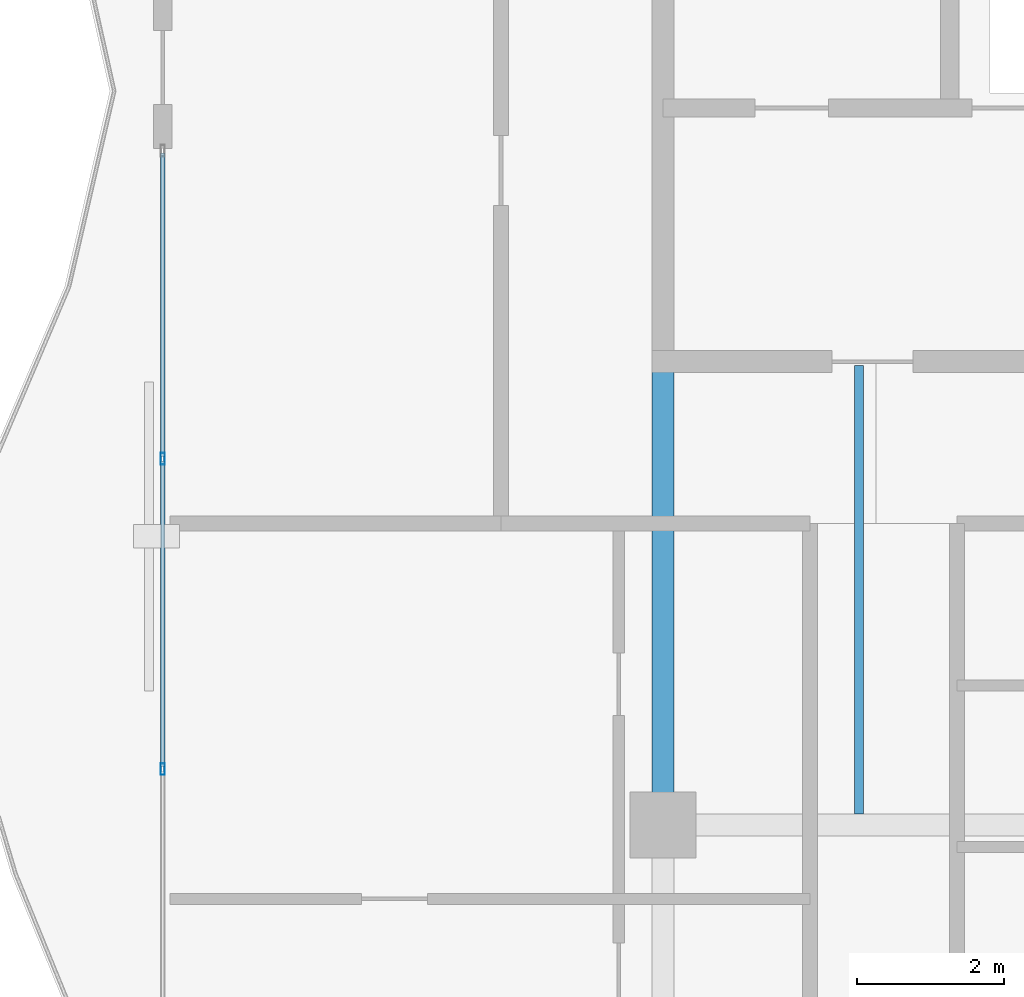
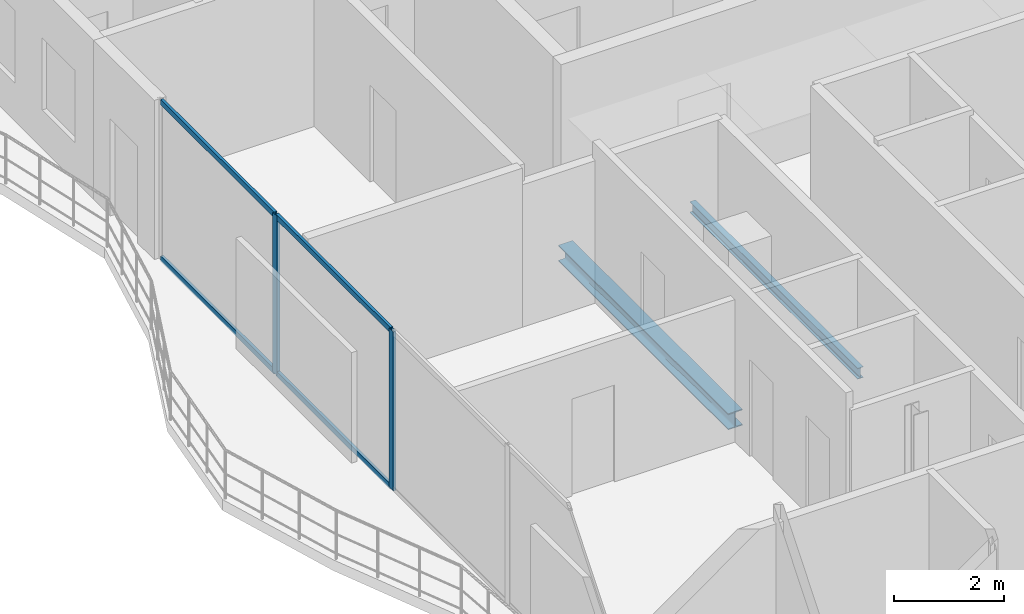
# One storey, part 7 of 17: 6 members, 2 beams, 1 element without a shape of its own.
"""IFC4 building model written with IfcOpenShell, lengths in metres."""

import ifcopenshell
import ifcopenshell.guid

model = None  # the IFC model being written
_history = None  # IfcOwnerHistory: only IFC2X3 demands one
_inside = {}  # id of a spatial element -> (the spatial element, [elements in it])
_under = {}  # id of a project, library or spatial element -> (it, [spatial elements below it])
_declared = {}  # id of a project -> (the project, [libraries it declares])
_typed = {}  # id of a type object -> (the type object, [elements of that type])
_made_of = {}  # id of a material, layer set ... -> (it, [elements and type objects made of it])


def new_model(schema):
    """Start an empty IFC model of exactly this schema.

    Asked for "IFC4X3", IfcOpenShell would pick the latest addendum, in which some entities
    have other attributes; the version numbers below select the first issue.
    IFC2X3 requires an IfcOwnerHistory on every rooted entity: one is made here for all.
    """
    global model, _history
    if schema == "IFC4X3":
        model = ifcopenshell.file(schema_version=(4, 3, 0, 0))
    else:
        model = ifcopenshell.file(schema=schema)
    _inside.clear()
    _under.clear()
    _declared.clear()
    _typed.clear()
    _made_of.clear()
    _history = None
    if model.schema == "IFC2X3":
        org = make("IfcOrganization", Name="unknown")
        user = make(
            "IfcPersonAndOrganization",
            ThePerson=make("IfcPerson", FamilyName="unknown"),
            TheOrganization=org,
        )
        app = make(
            "IfcApplication",
            ApplicationDeveloper=org,
            Version="unknown",
            ApplicationFullName="unknown",
            ApplicationIdentifier="unknown",
        )
        _history = make(
            "IfcOwnerHistory",
            OwningUser=user,
            OwningApplication=app,
            ChangeAction="ADDED",
            CreationDate=0,
        )
    return model


def make(cls, **values):
    """One entity of the class cls with the attributes given. An attribute that is None is left unset."""
    return model.create_entity(
        cls, **{name: value for name, value in values.items() if value is not None}
    )


def rooted(cls, **values):
    """An entity with a GlobalId (a new one), such as an element, a storey or a relation."""
    return make(cls, GlobalId=ifcopenshell.guid.new(), OwnerHistory=_history, **values)


def si_unit(unit_type, name, prefix=None):
    """IfcSIUnit, for example si_unit("LENGTHUNIT", "METRE", prefix="MILLI")."""
    return make("IfcSIUnit", UnitType=unit_type, Prefix=prefix, Name=name)


def assignment(units):
    """IfcUnitAssignment: the units of a project."""
    return None if units is None else make("IfcUnitAssignment", Units=units)


def point(xyz):
    """IfcCartesianPoint."""
    return None if xyz is None else make("IfcCartesianPoint", Coordinates=xyz)


def direction(xyz):
    """IfcDirection."""
    return None if xyz is None else make("IfcDirection", DirectionRatios=xyz)


def frame(location, z_axis=None, x_axis=None):
    """IfcAxis2Placement3D, a coordinate frame: its origin and axes. An axis left out is left unset."""
    return make(
        "IfcAxis2Placement3D",
        Location=point(location),
        Axis=direction(z_axis),
        RefDirection=direction(x_axis),
    )


def frame_2d(location, x_axis=None):
    """IfcAxis2Placement2D, a coordinate frame in the plane: its origin and x axis."""
    return make(
        "IfcAxis2Placement2D", Location=point(location), RefDirection=direction(x_axis)
    )


def origin():
    """The frame at (0, 0, 0) with its axes left unset."""
    return frame((0.0, 0.0, 0.0))


def origin_2d():
    """The frame at (0, 0) in the plane with its x axis left unset."""
    return frame_2d((0.0, 0.0))


def place(relative_to, where):
    """IfcLocalPlacement: puts the frame where relative to a parent placement (None: the world)."""
    return make(
        "IfcLocalPlacement", PlacementRelTo=relative_to, RelativePlacement=where
    )


def context(
    kind, dimensions, precision=None, world=None, true_north=None, identifier=None
):
    """IfcGeometricRepresentationContext, for example the 3D "Model" context."""
    return make(
        "IfcGeometricRepresentationContext",
        ContextIdentifier=identifier,
        ContextType=kind,
        CoordinateSpaceDimension=dimensions,
        Precision=precision,
        WorldCoordinateSystem=world,
        TrueNorth=true_north,
    )


def subcontext(parent, identifier, kind, view, scale=None):
    """IfcGeometricRepresentationSubContext, for example "Body" below "Model"."""
    return make(
        "IfcGeometricRepresentationSubContext",
        ContextIdentifier=identifier,
        ContextType=kind,
        ParentContext=parent,
        TargetScale=scale,
        TargetView=view,
    )


def project(units=None, contexts=None):
    """IfcProject with its units and contexts."""
    return rooted(
        "IfcProject",
        Name="project",
        RepresentationContexts=contexts,
        UnitsInContext=assignment(units),
    )


def spatial(cls, under=None, at=None, **own):
    """A site, building, storey or space (cls), placed at a placement, below another one or the project."""
    s = rooted(cls, ObjectPlacement=at, **own)
    if under is not None:
        _under.setdefault(under.id(), (under, []))[1].append(s)
    return s


def profile(cls, at=None, kind="AREA", **sizes):
    """A parametric profile (cls). Its sizes go by their IFC names, for example OverallWidth=200.0."""
    return make(cls, ProfileType=kind, Position=at, **sizes)


def hollow_rectangle(**sizes):
    """IfcRectangleHollowProfileDef."""
    return profile("IfcRectangleHollowProfileDef", **sizes)


def i_section(**sizes):
    """IfcIShapeProfileDef."""
    return profile("IfcIShapeProfileDef", **sizes)


def extrude(swept, where, along, depth):
    """IfcExtrudedAreaSolid: the profile swept, set in the frame where, extruded along a direction by depth."""
    return make(
        "IfcExtrudedAreaSolid",
        SweptArea=swept,
        Position=where,
        ExtrudedDirection=direction(along),
        Depth=depth,
    )


def shape(context_of_items, identifier, shape_type, items):
    """IfcShapeRepresentation: the items that make up one representation, for example the "Body"."""
    return make(
        "IfcShapeRepresentation",
        ContextOfItems=context_of_items,
        RepresentationIdentifier=identifier,
        RepresentationType=shape_type,
        Items=items,
    )


def material(Name=None, Category=None):
    """IfcMaterial."""
    return make("IfcMaterial", Name=Name, Category=Category)


def layer(
    of_material, thickness, ventilated=None, Name=None, Category=None, Priority=None
):
    """IfcMaterialLayer: one layer of a wall or slab, of a material (None: an air gap)."""
    return make(
        "IfcMaterialLayer",
        Material=of_material,
        LayerThickness=thickness,
        IsVentilated=ventilated,
        Name=Name,
        Category=Category,
        Priority=Priority,
    )


def layer_set(layers, Name=None):
    """IfcMaterialLayerSet."""
    return make("IfcMaterialLayerSet", MaterialLayers=layers, LayerSetName=Name)


def material_profile(
    of_material, cross_section, Name=None, Category=None, Priority=None
):
    """IfcMaterialProfile: a cross section and its material."""
    return make(
        "IfcMaterialProfile",
        Name=Name,
        Material=of_material,
        Profile=cross_section,
        Priority=Priority,
        Category=Category,
    )


def profile_set(profiles, Name=None, composite=None):
    """IfcMaterialProfileSet."""
    return make(
        "IfcMaterialProfileSet",
        Name=Name,
        MaterialProfiles=profiles,
        CompositeProfile=composite,
    )


def made_of(thing, what):
    """Note that an element or type object is made of a material, layer set ...; save() writes the relation."""
    if what is not None:
        _made_of.setdefault(what.id(), (what, []))[1].append(thing)
    return thing


def type_object(cls, material=None, **own):
    """A type object (cls), such as IfcWallType, which elements share."""
    return made_of(rooted(cls, **own), material)


def element(
    cls,
    number,
    at=None,
    inside=None,
    cuts=None,
    type_object=None,
    material=None,
    context=None,
    identifier="Body",
    shape_type=None,
    held_by="IfcProductDefinitionShape",
    body=None,
    shapes=None,
    **own,
):
    """One element of the class cls, such as IfcWall. Its Tag is "e" and its number.

    at: its placement. inside: the storey or other place that contains it. cuts: it is an
    opening in that element (IfcRelVoidsElement). A single representation is given by context,
    identifier, shape_type and body (its items); several are given by shapes. held_by: the class
    of the entity that holds the representations. save() writes the other relations.
    """
    e = rooted(cls, Tag="e%d" % number, ObjectPlacement=at, **own)
    if body is not None:
        shapes = [shape(context, identifier, shape_type, body)]
    if shapes is not None:
        e.Representation = make(held_by, Representations=shapes)
    if inside is not None:
        _inside.setdefault(inside.id(), (inside, []))[1].append(e)
    if cuts is not None:
        rooted(
            "IfcRelVoidsElement", RelatingBuildingElement=cuts, RelatedOpeningElement=e
        )
    if type_object is not None:
        _typed.setdefault(type_object.id(), (type_object, []))[1].append(e)
    return made_of(e, material)


def aggregate(whole, parts):
    """IfcRelAggregates: a whole, such as a stair, and the parts it consists of."""
    return rooted("IfcRelAggregates", RelatingObject=whole, RelatedObjects=parts)


def save(model, path):
    """Write the relations noted so far, then the file.

    IfcRelAggregates (storeys below a building ...), IfcRelContainedInSpatialStructure (elements
    in a storey), IfcRelDefinesByType, IfcRelAssociatesMaterial and IfcRelDeclares: one each for
    every whole, place, type object, material and project.
    """
    for whole, parts in _under.values():
        aggregate(whole, parts)
    for where, things in _inside.values():
        rooted(
            "IfcRelContainedInSpatialStructure",
            RelatedElements=things,
            RelatingStructure=where,
        )
    for kind, things in _typed.values():
        rooted("IfcRelDefinesByType", RelatedObjects=things, RelatingType=kind)
    for what, things in _made_of.values():
        rooted("IfcRelAssociatesMaterial", RelatedObjects=things, RelatingMaterial=what)
    for by, libraries in _declared.values():
        rooted("IfcRelDeclares", RelatingContext=by, RelatedDefinitions=libraries)
    model.write(path)


model = new_model("IFC4")

# Units and contexts
model_context = context("Model", 3, precision=1e-05, world=origin(), true_north=direction((0.0, 1.0)))
body_context = subcontext(model_context, "Body", "Model", "MODEL_VIEW")
ifc_project = project(units=[si_unit("LENGTHUNIT", "METRE"), si_unit("AREAUNIT", "SQUARE_METRE"), si_unit("VOLUMEUNIT", "CUBIC_METRE"), si_unit("PLANEANGLEUNIT", "RADIAN"), si_unit("MASSUNIT", "GRAM", prefix="KILO")], contexts=[model_context])

# Site, building, storey
site_placement = place(None, origin())
site = spatial("IfcSite", under=ifc_project, at=site_placement, CompositionType="ELEMENT")
building_placement = place(site_placement, origin())
building = spatial("IfcBuilding", under=site, at=building_placement, Name="Catumbela Crestline Tower", CompositionType="ELEMENT")
storey_placement = place(building_placement, frame((0.0, 0.0, 271.6)))
storey = spatial("IfcBuildingStorey", under=building, at=storey_placement, Name="L70", CompositionType="ELEMENT", Elevation=271.6)

# Beams
ifc_material_1 = material(Name="Structural steel S355J2", Category="steel")
ifc_material_profile_1 = material_profile(ifc_material_1, i_section(OverallWidth=0.3, OverallDepth=0.36, WebThickness=0.0125, FlangeThickness=0.0225, FilletRadius=0.027, at=origin_2d()), Name="HEB 360")
ifc_profile_set_1 = profile_set([ifc_material_profile_1], Name="Structural steel S355J2")
beam_type_1 = type_object("IfcBeamType", Name="BG-HEB360", PredefinedType="BEAM", material=ifc_profile_set_1)
beam_1_placement = place(storey_placement, frame((16.0, 24.58, -0.44), z_axis=(0.0, 1.0, 0.0), x_axis=(-1.0, 0.0, 0.0)))
element("IfcBeam", 1, at=beam_1_placement, inside=storey, type_object=beam_type_1, Name="L70 Beam BM-L70-SNS06", PredefinedType="BEAM", context=body_context, shape_type="SweptSolid", body=[
    extrude(i_section(OverallWidth=0.3, OverallDepth=0.36, WebThickness=0.0125, FlangeThickness=0.0225, FilletRadius=0.027, at=origin_2d()), origin(), (0.0, 0.0, 1.0), 6.17),
])
ifc_material_profile_2 = material_profile(ifc_material_1, i_section(OverallWidth=0.12, OverallDepth=0.24, WebThickness=0.0062, FlangeThickness=0.0098, FilletRadius=0.015, at=origin_2d()), Name="IPE 240")
ifc_profile_set_2 = profile_set([ifc_material_profile_2], Name="Structural steel S355J2")
beam_type_2 = type_object("IfcBeamType", Name="BJ-IPE240", PredefinedType="JOIST", material=ifc_profile_set_2)
beam_2_placement = place(storey_placement, frame((18.667, 24.647, -0.38), z_axis=(0.0, 1.0, 0.0), x_axis=(-1.0, 0.0, 0.0)))
element("IfcBeam", 2, at=beam_2_placement, inside=storey, type_object=beam_type_2, Name="L70 Joist JS-L70-SP12", PredefinedType="JOIST", context=body_context, shape_type="SweptSolid", body=[
    extrude(i_section(OverallWidth=0.12, OverallDepth=0.24, WebThickness=0.0062, FlangeThickness=0.0098, FilletRadius=0.015, at=origin_2d()), origin(), (0.0, 0.0, 1.0), 6.103),
])

# Curtain wall, members
ifc_material_2 = material(Name="Aluminium alloy AW-6060-T66", Category="aluminium")
ifc_layer = layer(ifc_material_2, 0.18, Name="Aluminium alloy AW-6060-T66")
ifc_layer_set = layer_set([ifc_layer], Name="Aluminium alloy AW-6060-T66")
curtain_wall_type = type_object("IfcCurtainWallType", Name="CWU-Z4", PredefinedType="USERDEFINED", material=ifc_layer_set)
curtain_wall_placement = place(storey_placement, origin())
curtain_wall = element("IfcCurtainWall", 3, at=curtain_wall_placement, inside=storey, type_object=curtain_wall_type, Name="L70 Unitised Curtain Wall CW-L70-E9S2", ObjectType="UNITISED", PredefinedType="USERDEFINED")
ifc_material_profile_3 = material_profile(ifc_material_2, hollow_rectangle(XDim=0.06, YDim=0.16, WallThickness=0.004, at=origin_2d()), Name="ALU 160x60x4")
ifc_profile_set_3 = profile_set([ifc_material_profile_3], Name="Aluminium alloy AW-6060-T66")
member_type_1 = type_object("IfcMemberType", Name="MUL-160X60", PredefinedType="MULLION", material=ifc_profile_set_3)
member_1_placement = place(storey_placement, frame((9.2, 29.48, 0.0), z_axis=(0.0, 0.0, 1.0), x_axis=(1.0, 0.0, 0.0)))
member_1 = element("IfcMember", 4, at=member_1_placement, type_object=member_type_1, Name="CWU-Z4 mullion 2", PredefinedType="MULLION", context=body_context, shape_type="SweptSolid", body=[
    extrude(hollow_rectangle(XDim=0.06, YDim=0.16, WallThickness=0.004, at=origin_2d()), origin(), (0.0, 0.0, 1.0), 3.53),
])
member_2_placement = place(storey_placement, frame((9.2, 25.26, 0.0), z_axis=(0.0, 0.0, 1.0), x_axis=(1.0, 0.0, 0.0)))
member_2 = element("IfcMember", 5, at=member_2_placement, type_object=member_type_1, Name="CWU-Z4 mullion 3", PredefinedType="MULLION", context=body_context, shape_type="SweptSolid", body=[
    extrude(hollow_rectangle(XDim=0.06, YDim=0.16, WallThickness=0.004, at=origin_2d()), origin(), (0.0, 0.0, 1.0), 3.53),
])
ifc_material_profile_4 = material_profile(ifc_material_2, hollow_rectangle(XDim=0.06, YDim=0.12, WallThickness=0.0035, at=origin_2d()), Name="ALU 120x60x3.5")
ifc_profile_set_4 = profile_set([ifc_material_profile_4], Name="Aluminium alloy AW-6060-T66")
member_type_2 = type_object("IfcMemberType", Name="TRN-120X60", PredefinedType="USERDEFINED", material=ifc_profile_set_4)
member_3_placement = place(storey_placement, frame((9.2, 33.635, 0.03), z_axis=(0.0, -1.0, 0.0), x_axis=(1.0, 0.0, 0.0)))
member_3 = element("IfcMember", 6, at=member_3_placement, type_object=member_type_2, Name="CWU-Z4 transom 1.1", ObjectType="TRANSOM", PredefinedType="USERDEFINED", context=body_context, shape_type="SweptSolid", body=[
    extrude(hollow_rectangle(XDim=0.06, YDim=0.12, WallThickness=0.0035, at=origin_2d()), origin(), (0.0, 0.0, 1.0), 4.1225),
])
member_4_placement = place(storey_placement, frame((9.2, 33.635, 3.5), z_axis=(0.0, -1.0, 0.0), x_axis=(1.0, 0.0, 0.0)))
member_4 = element("IfcMember", 7, at=member_4_placement, type_object=member_type_2, Name="CWU-Z4 transom 1.2", ObjectType="TRANSOM", PredefinedType="USERDEFINED", context=body_context, shape_type="SweptSolid", body=[
    extrude(hollow_rectangle(XDim=0.06, YDim=0.12, WallThickness=0.0035, at=origin_2d()), origin(), (0.0, 0.0, 1.0), 4.1225),
])
member_5_placement = place(storey_placement, frame((9.2, 29.4475, 0.03), z_axis=(0.0, -1.0, 0.0), x_axis=(1.0, 0.0, 0.0)))
member_5 = element("IfcMember", 8, at=member_5_placement, type_object=member_type_2, Name="CWU-Z4 transom 2.1", ObjectType="TRANSOM", PredefinedType="USERDEFINED", context=body_context, shape_type="SweptSolid", body=[
    extrude(hollow_rectangle(XDim=0.06, YDim=0.12, WallThickness=0.0035, at=origin_2d()), origin(), (0.0, 0.0, 1.0), 4.155),
])
member_6_placement = place(storey_placement, frame((9.2, 29.4475, 3.5), z_axis=(0.0, -1.0, 0.0), x_axis=(1.0, 0.0, 0.0)))
member_6 = element("IfcMember", 9, at=member_6_placement, type_object=member_type_2, Name="CWU-Z4 transom 2.2", ObjectType="TRANSOM", PredefinedType="USERDEFINED", context=body_context, shape_type="SweptSolid", body=[
    extrude(hollow_rectangle(XDim=0.06, YDim=0.12, WallThickness=0.0035, at=origin_2d()), origin(), (0.0, 0.0, 1.0), 4.155),
])
aggregate(curtain_wall, [member_1, member_2, member_3, member_4, member_5, member_6])

save(model, "model.ifc")
